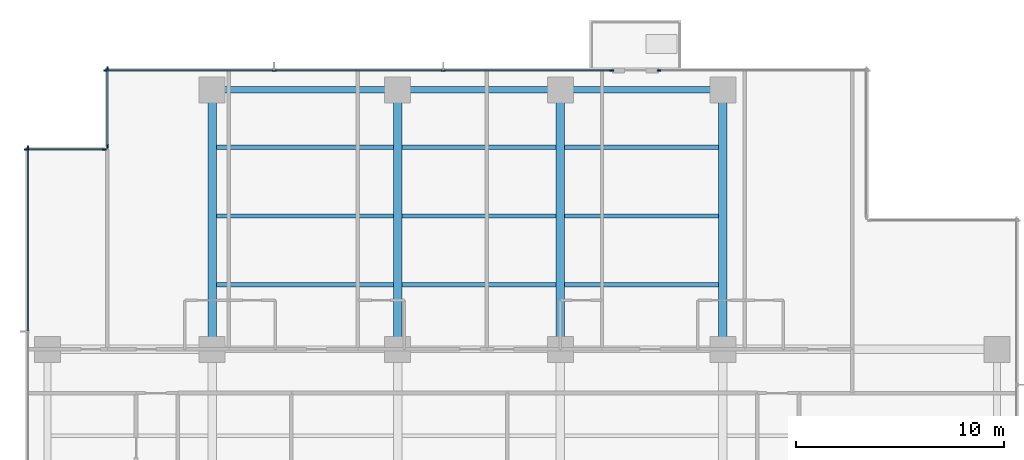
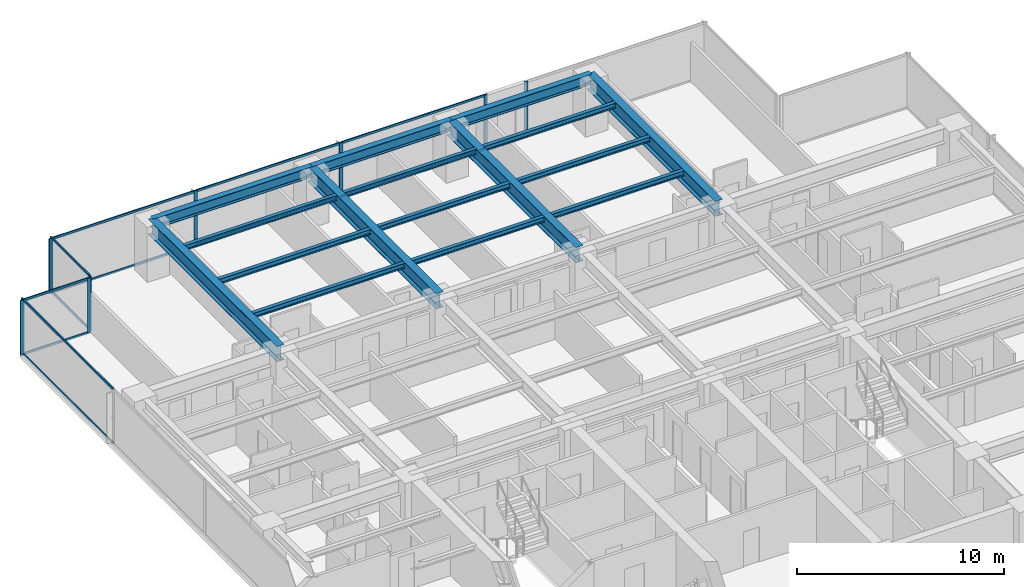
# One storey, part 5 of 17: 22 members, 16 beams, 5 elements without a shape of their own.
"""IFC4 building model written with IfcOpenShell, lengths in metres."""

from ifc_helpers import new_model, si_unit, direction, frame, origin, origin_2d, place, context, subcontext, project, spatial, rectangle, i_section, extrude, material, layer, layer_set, material_profile, profile_set, type_object, element, aggregate, save


model = new_model("IFC4")

# Units and contexts
model_context = context("Model", 3, precision=1e-05, world=origin(), true_north=direction((0.0, 1.0)))
body_context = subcontext(model_context, "Body", "Model", "MODEL_VIEW")
ifc_project = project(units=[si_unit("LENGTHUNIT", "METRE"), si_unit("AREAUNIT", "SQUARE_METRE"), si_unit("VOLUMEUNIT", "CUBIC_METRE"), si_unit("PLANEANGLEUNIT", "RADIAN"), si_unit("MASSUNIT", "GRAM", prefix="KILO")], contexts=[model_context])

# Site, building, storey
site_placement = place(None, origin())
site = spatial("IfcSite", under=ifc_project, at=site_placement, CompositionType="ELEMENT")
building_placement = place(site_placement, origin())
building = spatial("IfcBuilding", under=site, at=building_placement, Name="Qalmaran Belvedere Hotel", CompositionType="ELEMENT")
storey_placement = place(building_placement, frame((0.0, 0.0, 102.199951171875)))
storey = spatial("IfcBuildingStorey", under=building, at=storey_placement, Name="L25", CompositionType="ELEMENT", Elevation=102.199951171875)

# Beams
ifc_material_1 = material(Name="Steel S355JR", Category="steel")
ifc_material_profile_1 = material_profile(ifc_material_1, i_section(OverallWidth=0.202880859375, OverallDepth=0.302978515625, WebThickness=0.007568359375, FlangeThickness=0.01318359375, FilletRadius=0.012939453125, at=origin_2d()), Name="W310X60")
ifc_profile_set_1 = profile_set([ifc_material_profile_1], Name="Steel S355JR")
beam_type_1 = type_object("IfcBeamType", Name="BM-JST-W310X60", PredefinedType="JOIST", material=ifc_profile_set_1)
beam_1_placement = place(storey_placement, frame((20.507080078125, 36.10009765625, 3.088623046875), z_axis=(1.0, 0.0, 0.0), x_axis=(0.0, 1.0, 0.0)))
element("IfcBeam", 1, at=beam_1_placement, inside=storey, type_object=beam_type_1, Name="L25 North Floor Joist 042", PredefinedType="JOIST", context=body_context, shape_type="SweptSolid", body=[
    extrude(i_section(OverallWidth=0.202880859375, OverallDepth=0.302978515625, WebThickness=0.007568359375, FlangeThickness=0.01318359375, FilletRadius=0.012939453125, at=origin_2d()), origin(), (0.0, 0.0, 1.0), 8.48583984375),
])
for number, where, z_axis, x_axis, name in (
    (2, (29.406982421875, 36.10009765625, 3.088623046875), (1.0, 0.0, 0.0), (0.0, 1.0, 0.0), "L25 North Floor Joist 043"),
    (3, (37.20703125, 36.10009765625, 3.088623046875), (1.0, 0.0, 0.0), (0.0, 1.0, 0.0), "L25 North Floor Joist 044"),
):
    element("IfcBeam", number, at=place(storey_placement, frame(where, z_axis=z_axis, x_axis=x_axis)), inside=storey, type_object=beam_type_1, Name=name, PredefinedType="JOIST", context=body_context, shape_type="SweptSolid", body=[
        extrude(i_section(OverallWidth=0.202880859375, OverallDepth=0.302978515625, WebThickness=0.007568359375, FlangeThickness=0.01318359375, FilletRadius=0.012939453125, at=origin_2d()), origin(), (0.0, 0.0, 1.0), 7.385986328125),
    ])
beam_2_placement = place(storey_placement, frame((20.507080078125, 39.39990234375, 3.088623046875), z_axis=(1.0, 0.0, 0.0), x_axis=(0.0, 1.0, 0.0)))
element("IfcBeam", 4, at=beam_2_placement, inside=storey, type_object=beam_type_1, Name="L25 North Floor Joist 045", PredefinedType="JOIST", context=body_context, shape_type="SweptSolid", body=[
    extrude(i_section(OverallWidth=0.202880859375, OverallDepth=0.302978515625, WebThickness=0.007568359375, FlangeThickness=0.01318359375, FilletRadius=0.012939453125, at=origin_2d()), origin(), (0.0, 0.0, 1.0), 8.48583984375),
])
for number, where, z_axis, x_axis, name in (
    (5, (29.406982421875, 39.39990234375, 3.088623046875), (1.0, 0.0, 0.0), (0.0, 1.0, 0.0), "L25 North Floor Joist 046"),
    (6, (37.20703125, 39.39990234375, 3.088623046875), (1.0, 0.0, 0.0), (0.0, 1.0, 0.0), "L25 North Floor Joist 047"),
):
    element("IfcBeam", number, at=place(storey_placement, frame(where, z_axis=z_axis, x_axis=x_axis)), inside=storey, type_object=beam_type_1, Name=name, PredefinedType="JOIST", context=body_context, shape_type="SweptSolid", body=[
        extrude(i_section(OverallWidth=0.202880859375, OverallDepth=0.302978515625, WebThickness=0.007568359375, FlangeThickness=0.01318359375, FilletRadius=0.012939453125, at=origin_2d()), origin(), (0.0, 0.0, 1.0), 7.385986328125),
    ])
beam_3_placement = place(storey_placement, frame((20.507080078125, 42.699951171875, 3.088623046875), z_axis=(1.0, 0.0, 0.0), x_axis=(0.0, 1.0, 0.0)))
element("IfcBeam", 7, at=beam_3_placement, inside=storey, type_object=beam_type_1, Name="L25 North Floor Joist 048", PredefinedType="JOIST", context=body_context, shape_type="SweptSolid", body=[
    extrude(i_section(OverallWidth=0.202880859375, OverallDepth=0.302978515625, WebThickness=0.007568359375, FlangeThickness=0.01318359375, FilletRadius=0.012939453125, at=origin_2d()), origin(), (0.0, 0.0, 1.0), 8.48583984375),
])
for number, where, z_axis, x_axis, name in (
    (8, (29.406982421875, 42.699951171875, 3.088623046875), (1.0, 0.0, 0.0), (0.0, 1.0, 0.0), "L25 North Floor Joist 049"),
    (9, (37.20703125, 42.699951171875, 3.088623046875), (1.0, 0.0, 0.0), (0.0, 1.0, 0.0), "L25 North Floor Joist 050"),
):
    element("IfcBeam", number, at=place(storey_placement, frame(where, z_axis=z_axis, x_axis=x_axis)), inside=storey, type_object=beam_type_1, Name=name, PredefinedType="JOIST", context=body_context, shape_type="SweptSolid", body=[
        extrude(i_section(OverallWidth=0.202880859375, OverallDepth=0.302978515625, WebThickness=0.007568359375, FlangeThickness=0.01318359375, FilletRadius=0.012939453125, at=origin_2d()), origin(), (0.0, 0.0, 1.0), 7.385986328125),
    ])
ifc_material_profile_2 = material_profile(ifc_material_1, i_section(OverallWidth=0.41796875, OverallDepth=0.912109375, WebThickness=0.019287109375, FlangeThickness=0.031982421875, FilletRadius=0.02392578125, at=origin_2d()), Name="W920X342")
ifc_profile_set_2 = profile_set([ifc_material_profile_2], Name="Steel S355JR")
beam_type_2 = type_object("IfcBeamType", Name="BM-PG2-W920X342", PredefinedType="USERDEFINED", material=ifc_profile_set_2)
for number, where, z_axis, x_axis, name in (
    (10, (20.300048828125, 33.0, 2.783935546875), (0.0, 1.0, 0.0), (-1.0, 0.0, 0.0), "L25 North Bay Girder 15"),
    (11, (29.199951171875, 33.0, 2.783935546875), (0.0, 1.0, 0.0), (-1.0, 0.0, 0.0), "L25 North Bay Girder 17"),
    (12, (37.0, 33.0, 2.783935546875), (0.0, 1.0, 0.0), (-1.0, 0.0, 0.0), "L25 North Bay Girder 19"),
    (13, (44.800048828125, 33.0, 2.783935546875), (0.0, 1.0, 0.0), (-1.0, 0.0, 0.0), "L25 North Bay Girder 21"),
):
    element("IfcBeam", number, at=place(storey_placement, frame(where, z_axis=z_axis, x_axis=x_axis)), inside=storey, type_object=beam_type_2, Name=name, ObjectType="GIRDER", PredefinedType="USERDEFINED", context=body_context, shape_type="SweptSolid", body=[
        extrude(i_section(OverallWidth=0.41796875, OverallDepth=0.912109375, WebThickness=0.019287109375, FlangeThickness=0.031982421875, FilletRadius=0.02392578125, at=origin_2d()), origin(), (0.0, 0.0, 1.0), 12.449951171875),
    ])
ifc_material_profile_3 = material_profile(ifc_material_1, i_section(OverallWidth=0.326904296875, OverallDepth=0.6220703125, WebThickness=0.015380859375, FlangeThickness=0.0244140625, FilletRadius=0.02001953125, at=origin_2d()), Name="W610X195")
ifc_profile_set_3 = profile_set([ifc_material_profile_3], Name="Steel S355JR")
beam_type_3 = type_object("IfcBeamType", Name="BM-SP1-W610X195", PredefinedType="SPANDREL", material=ifc_profile_set_3)
beam_4_placement = place(storey_placement, frame((20.300048828125, 45.449951171875, 2.928955078125), z_axis=(1.0, 0.0, 0.0), x_axis=(0.0, 1.0, 0.0)))
element("IfcBeam", 14, at=beam_4_placement, inside=storey, type_object=beam_type_3, Name="L25 Perimeter Spandrel 05", PredefinedType="SPANDREL", context=body_context, shape_type="SweptSolid", body=[
    extrude(i_section(OverallWidth=0.326904296875, OverallDepth=0.6220703125, WebThickness=0.015380859375, FlangeThickness=0.0244140625, FilletRadius=0.02001953125, at=origin_2d()), origin(), (0.0, 0.0, 1.0), 8.89990234375),
])
for number, where, z_axis, x_axis, name in (
    (15, (29.199951171875, 45.449951171875, 2.928955078125), (1.0, 0.0, 0.0), (0.0, 1.0, 0.0), "L25 Perimeter Spandrel 06"),
    (16, (37.0, 45.449951171875, 2.928955078125), (1.0, 0.0, 0.0), (0.0, 1.0, 0.0), "L25 Perimeter Spandrel 07"),
):
    element("IfcBeam", number, at=place(storey_placement, frame(where, z_axis=z_axis, x_axis=x_axis)), inside=storey, type_object=beam_type_3, Name=name, PredefinedType="SPANDREL", context=body_context, shape_type="SweptSolid", body=[
        extrude(i_section(OverallWidth=0.326904296875, OverallDepth=0.6220703125, WebThickness=0.015380859375, FlangeThickness=0.0244140625, FilletRadius=0.02001953125, at=origin_2d()), origin(), (0.0, 0.0, 1.0), 7.800048828125),
    ])

# Curtain wall, members
ifc_material_2 = material(Name="Anodised Bronze Aluminium", Category="aluminium")
ifc_layer = layer(ifc_material_2, 0.199951171875, Name="Anodised Bronze Aluminium")
ifc_layer_set = layer_set([ifc_layer], Name="Anodised Bronze Aluminium")
curtain_wall_type = type_object("IfcCurtainWallType", Name="CW3-TOWER-LOWMID", PredefinedType="NOTDEFINED", material=ifc_layer_set)
curtain_wall_1_placement = place(storey_placement, origin())
curtain_wall_1 = element("IfcCurtainWall", 17, at=curtain_wall_1_placement, inside=storey, type_object=curtain_wall_type, Name="L25 Curtain Wall CW3", PredefinedType="NOTDEFINED")
ifc_material_profile_4 = material_profile(ifc_material_2, rectangle(XDim=0.070068359375, YDim=0.18994140625, at=origin_2d()), Name="CWM70X190")
ifc_profile_set_4 = profile_set([ifc_material_profile_4], Name="Anodised Bronze Aluminium")
member_type_1 = type_object("IfcMemberType", Name="CWM-70X190", PredefinedType="MULLION", material=ifc_profile_set_4)
member_1_placement = place(storey_placement, frame((39.465087890625, 46.3798828125, 0.0), z_axis=(0.0, 0.0, 1.0), x_axis=(0.0, -1.0, 0.0)))
member_1 = element("IfcMember", 18, at=member_1_placement, type_object=member_type_1, Name="CW3 mullion 1", PredefinedType="MULLION", context=body_context, shape_type="SweptSolid", body=[
    extrude(rectangle(XDim=0.070068359375, YDim=0.18994140625, at=origin_2d()), origin(), (0.0, 0.0, 1.0), 3.239990234375),
])
member_2_placement = place(storey_placement, frame((31.38330078125, 46.3798828125, 0.0), z_axis=(0.0, 0.0, 1.0), x_axis=(0.0, -1.0, 0.0)))
member_2 = element("IfcMember", 19, at=member_2_placement, type_object=member_type_1, Name="CW3 mullion 2", PredefinedType="MULLION", context=body_context, shape_type="SweptSolid", body=[
    extrude(rectangle(XDim=0.070068359375, YDim=0.18994140625, at=origin_2d()), origin(), (0.0, 0.0, 1.0), 3.239990234375),
])
member_3_placement = place(storey_placement, frame((23.2666015625, 46.3798828125, 0.0), z_axis=(0.0, 0.0, 1.0), x_axis=(0.0, -1.0, 0.0)))
member_3 = element("IfcMember", 20, at=member_3_placement, type_object=member_type_1, Name="CW3 mullion 3", PredefinedType="MULLION", context=body_context, shape_type="SweptSolid", body=[
    extrude(rectangle(XDim=0.070068359375, YDim=0.18994140625, at=origin_2d()), origin(), (0.0, 0.0, 1.0), 3.239990234375),
])
member_4_placement = place(storey_placement, frame((15.18505859375, 46.3798828125, 0.0), z_axis=(0.0, 0.0, 1.0), x_axis=(0.0, -1.0, 0.0)))
member_4 = element("IfcMember", 21, at=member_4_placement, type_object=member_type_1, Name="CW3 mullion 4", PredefinedType="MULLION", context=body_context, shape_type="SweptSolid", body=[
    extrude(rectangle(XDim=0.070068359375, YDim=0.18994140625, at=origin_2d()), origin(), (0.0, 0.0, 1.0), 3.239990234375),
])

# Curtain wall, member
curtain_wall_2_placement = place(storey_placement, origin())
curtain_wall_2 = element("IfcCurtainWall", 22, at=curtain_wall_2_placement, inside=storey, type_object=curtain_wall_type, Name="L25 Curtain Wall CW3", PredefinedType="NOTDEFINED")
member_5_placement = place(storey_placement, frame((41.735107421875, 46.3798828125, 0.0), z_axis=(0.0, 0.0, 1.0), x_axis=(0.0, -1.0, 0.0)))
member_5 = element("IfcMember", 23, at=member_5_placement, type_object=member_type_1, Name="CW3 mullion 2", PredefinedType="MULLION", context=body_context, shape_type="SweptSolid", body=[
    extrude(rectangle(XDim=0.070068359375, YDim=0.18994140625, at=origin_2d()), origin(), (0.0, 0.0, 1.0), 3.239990234375),
])
aggregate(curtain_wall_2, [member_5])

# Curtain wall, members
curtain_wall_3_placement = place(storey_placement, origin())
curtain_wall_3 = element("IfcCurtainWall", 24, at=curtain_wall_3_placement, inside=storey, type_object=curtain_wall_type, Name="L25 Curtain Wall CW3", PredefinedType="NOTDEFINED")
member_6_placement = place(storey_placement, frame((15.27001953125, 46.465087890625, 0.0), z_axis=(0.0, 0.0, 1.0), x_axis=(1.0, 0.0, 0.0)))
member_6 = element("IfcMember", 25, at=member_6_placement, type_object=member_type_1, Name="CW3 mullion 1", PredefinedType="MULLION", context=body_context, shape_type="SweptSolid", body=[
    extrude(rectangle(XDim=0.070068359375, YDim=0.18994140625, at=origin_2d()), origin(), (0.0, 0.0, 1.0), 3.239990234375),
])
member_7_placement = place(storey_placement, frame((15.27001953125, 42.735107421875, 0.0), z_axis=(0.0, 0.0, 1.0), x_axis=(1.0, 0.0, 0.0)))
member_7 = element("IfcMember", 26, at=member_7_placement, type_object=member_type_1, Name="CW3 mullion 2", PredefinedType="MULLION", context=body_context, shape_type="SweptSolid", body=[
    extrude(rectangle(XDim=0.070068359375, YDim=0.18994140625, at=origin_2d()), origin(), (0.0, 0.0, 1.0), 3.239990234375),
])

curtain_wall_4_placement = place(storey_placement, origin())
curtain_wall_4 = element("IfcCurtainWall", 27, at=curtain_wall_4_placement, inside=storey, type_object=curtain_wall_type, Name="L25 Curtain Wall CW3", PredefinedType="NOTDEFINED")
member_8_placement = place(storey_placement, frame((15.114990234375, 42.580078125, 0.0), z_axis=(0.0, 0.0, 1.0), x_axis=(0.0, -1.0, 0.0)))
member_8 = element("IfcMember", 28, at=member_8_placement, type_object=member_type_1, Name="CW3 mullion 1", PredefinedType="MULLION", context=body_context, shape_type="SweptSolid", body=[
    extrude(rectangle(XDim=0.070068359375, YDim=0.18994140625, at=origin_2d()), origin(), (0.0, 0.0, 1.0), 3.239990234375),
])
member_9_placement = place(storey_placement, frame((11.385009765625, 42.580078125, 0.0), z_axis=(0.0, 0.0, 1.0), x_axis=(0.0, -1.0, 0.0)))
member_9 = element("IfcMember", 29, at=member_9_placement, type_object=member_type_1, Name="CW3 mullion 2", PredefinedType="MULLION", context=body_context, shape_type="SweptSolid", body=[
    extrude(rectangle(XDim=0.070068359375, YDim=0.18994140625, at=origin_2d()), origin(), (0.0, 0.0, 1.0), 3.239990234375),
])

# Curtain wall, member
curtain_wall_5_placement = place(storey_placement, origin())
curtain_wall_5 = element("IfcCurtainWall", 30, at=curtain_wall_5_placement, inside=storey, type_object=curtain_wall_type, Name="L25 Curtain Wall CW3", PredefinedType="NOTDEFINED")
member_10_placement = place(storey_placement, frame((11.469970703125, 42.6650390625, 0.0), z_axis=(0.0, 0.0, 1.0), x_axis=(1.0, 0.0, 0.0)))
member_10 = element("IfcMember", 31, at=member_10_placement, type_object=member_type_1, Name="CW3 mullion 1", PredefinedType="MULLION", context=body_context, shape_type="SweptSolid", body=[
    extrude(rectangle(XDim=0.070068359375, YDim=0.18994140625, at=origin_2d()), origin(), (0.0, 0.0, 1.0), 3.239990234375),
])

# Member
ifc_material_profile_5 = material_profile(ifc_material_2, rectangle(XDim=0.06494140625, YDim=0.1298828125, at=origin_2d()), Name="CWT65X130")
ifc_profile_set_5 = profile_set([ifc_material_profile_5], Name="Anodised Bronze Aluminium")
member_type_2 = type_object("IfcMemberType", Name="CWT-65X130", PredefinedType="USERDEFINED", material=ifc_profile_set_5)
member_11_placement = place(storey_placement, frame((39.429931640625, 46.3798828125, 0.032470703125), z_axis=(-1.0, 0.0, 0.0), x_axis=(0.0, -1.0, 0.0)))
member_11 = element("IfcMember", 32, at=member_11_placement, type_object=member_type_2, Name="CW3 transom 1.1", ObjectType="TRANSOM", PredefinedType="USERDEFINED", context=body_context, shape_type="SweptSolid", body=[
    extrude(rectangle(XDim=0.06494140625, YDim=0.1298828125, at=origin_2d()), origin(), (0.0, 0.0, 1.0), 8.01171875),
])

member_12_placement = place(storey_placement, frame((39.429931640625, 46.3798828125, 3.20751953125), z_axis=(-1.0, 0.0, 0.0), x_axis=(0.0, -1.0, 0.0)))
member_12 = element("IfcMember", 33, at=member_12_placement, type_object=member_type_2, Name="CW3 transom 1.2", ObjectType="TRANSOM", PredefinedType="USERDEFINED", context=body_context, shape_type="SweptSolid", body=[
    extrude(rectangle(XDim=0.06494140625, YDim=0.1298828125, at=origin_2d()), origin(), (0.0, 0.0, 1.0), 8.01171875),
])

member_13_placement = place(storey_placement, frame((31.348388671875, 46.3798828125, 0.032470703125), z_axis=(-1.0, 0.0, 0.0), x_axis=(0.0, -1.0, 0.0)))
member_13 = element("IfcMember", 34, at=member_13_placement, type_object=member_type_2, Name="CW3 transom 2.1", ObjectType="TRANSOM", PredefinedType="USERDEFINED", context=body_context, shape_type="SweptSolid", body=[
    extrude(rectangle(XDim=0.06494140625, YDim=0.1298828125, at=origin_2d()), origin(), (0.0, 0.0, 1.0), 8.046630859375),
])

member_14_placement = place(storey_placement, frame((31.348388671875, 46.3798828125, 3.20751953125), z_axis=(-1.0, 0.0, 0.0), x_axis=(0.0, -1.0, 0.0)))
member_14 = element("IfcMember", 35, at=member_14_placement, type_object=member_type_2, Name="CW3 transom 2.2", ObjectType="TRANSOM", PredefinedType="USERDEFINED", context=body_context, shape_type="SweptSolid", body=[
    extrude(rectangle(XDim=0.06494140625, YDim=0.1298828125, at=origin_2d()), origin(), (0.0, 0.0, 1.0), 8.046630859375),
])

member_15_placement = place(storey_placement, frame((23.231689453125, 46.3798828125, 0.032470703125), z_axis=(-1.0, 0.0, 0.0), x_axis=(0.0, -1.0, 0.0)))
member_15 = element("IfcMember", 36, at=member_15_placement, type_object=member_type_2, Name="CW3 transom 3.1", ObjectType="TRANSOM", PredefinedType="USERDEFINED", context=body_context, shape_type="SweptSolid", body=[
    extrude(rectangle(XDim=0.06494140625, YDim=0.1298828125, at=origin_2d()), origin(), (0.0, 0.0, 1.0), 8.01171875),
])

member_16_placement = place(storey_placement, frame((23.231689453125, 46.3798828125, 3.20751953125), z_axis=(-1.0, 0.0, 0.0), x_axis=(0.0, -1.0, 0.0)))
member_16 = element("IfcMember", 37, at=member_16_placement, type_object=member_type_2, Name="CW3 transom 3.2", ObjectType="TRANSOM", PredefinedType="USERDEFINED", context=body_context, shape_type="SweptSolid", body=[
    extrude(rectangle(XDim=0.06494140625, YDim=0.1298828125, at=origin_2d()), origin(), (0.0, 0.0, 1.0), 8.01171875),
])

aggregate(curtain_wall_1, [member_1, member_2, member_3, member_4, member_11, member_12, member_13, member_14, member_15, member_16])

member_17_placement = place(storey_placement, frame((15.27001953125, 46.429931640625, 0.032470703125), z_axis=(0.0, -1.0, 0.0), x_axis=(1.0, 0.0, 0.0)))
member_17 = element("IfcMember", 38, at=member_17_placement, type_object=member_type_2, Name="CW3 transom 1.1", ObjectType="TRANSOM", PredefinedType="USERDEFINED", context=body_context, shape_type="SweptSolid", body=[
    extrude(rectangle(XDim=0.06494140625, YDim=0.1298828125, at=origin_2d()), origin(), (0.0, 0.0, 1.0), 3.659912109375),
])

member_18_placement = place(storey_placement, frame((15.27001953125, 46.429931640625, 3.20751953125), z_axis=(0.0, -1.0, 0.0), x_axis=(1.0, 0.0, 0.0)))
member_18 = element("IfcMember", 39, at=member_18_placement, type_object=member_type_2, Name="CW3 transom 1.2", ObjectType="TRANSOM", PredefinedType="USERDEFINED", context=body_context, shape_type="SweptSolid", body=[
    extrude(rectangle(XDim=0.06494140625, YDim=0.1298828125, at=origin_2d()), origin(), (0.0, 0.0, 1.0), 3.659912109375),
])

aggregate(curtain_wall_3, [member_6, member_7, member_17, member_18])

member_19_placement = place(storey_placement, frame((15.080078125, 42.580078125, 0.032470703125), z_axis=(-1.0, 0.0, 0.0), x_axis=(0.0, -1.0, 0.0)))
member_19 = element("IfcMember", 40, at=member_19_placement, type_object=member_type_2, Name="CW3 transom 1.1", ObjectType="TRANSOM", PredefinedType="USERDEFINED", context=body_context, shape_type="SweptSolid", body=[
    extrude(rectangle(XDim=0.06494140625, YDim=0.1298828125, at=origin_2d()), origin(), (0.0, 0.0, 1.0), 3.66015625),
])

member_20_placement = place(storey_placement, frame((15.080078125, 42.580078125, 3.20751953125), z_axis=(-1.0, 0.0, 0.0), x_axis=(0.0, -1.0, 0.0)))
member_20 = element("IfcMember", 41, at=member_20_placement, type_object=member_type_2, Name="CW3 transom 1.2", ObjectType="TRANSOM", PredefinedType="USERDEFINED", context=body_context, shape_type="SweptSolid", body=[
    extrude(rectangle(XDim=0.06494140625, YDim=0.1298828125, at=origin_2d()), origin(), (0.0, 0.0, 1.0), 3.66015625),
])

aggregate(curtain_wall_4, [member_8, member_9, member_19, member_20])

member_21_placement = place(storey_placement, frame((11.469970703125, 42.6298828125, 0.032470703125), z_axis=(0.0, -1.0, 0.0), x_axis=(1.0, 0.0, 0.0)))
member_21 = element("IfcMember", 42, at=member_21_placement, type_object=member_type_2, Name="CW3 transom 1.1", ObjectType="TRANSOM", PredefinedType="USERDEFINED", context=body_context, shape_type="SweptSolid", body=[
    extrude(rectangle(XDim=0.06494140625, YDim=0.1298828125, at=origin_2d()), origin(), (0.0, 0.0, 1.0), 8.744873046875),
])

member_22_placement = place(storey_placement, frame((11.469970703125, 42.6298828125, 3.20751953125), z_axis=(0.0, -1.0, 0.0), x_axis=(1.0, 0.0, 0.0)))
member_22 = element("IfcMember", 43, at=member_22_placement, type_object=member_type_2, Name="CW3 transom 1.2", ObjectType="TRANSOM", PredefinedType="USERDEFINED", context=body_context, shape_type="SweptSolid", body=[
    extrude(rectangle(XDim=0.06494140625, YDim=0.1298828125, at=origin_2d()), origin(), (0.0, 0.0, 1.0), 8.744873046875),
])

aggregate(curtain_wall_5, [member_10, member_21, member_22])

save(model, "model.ifc")
